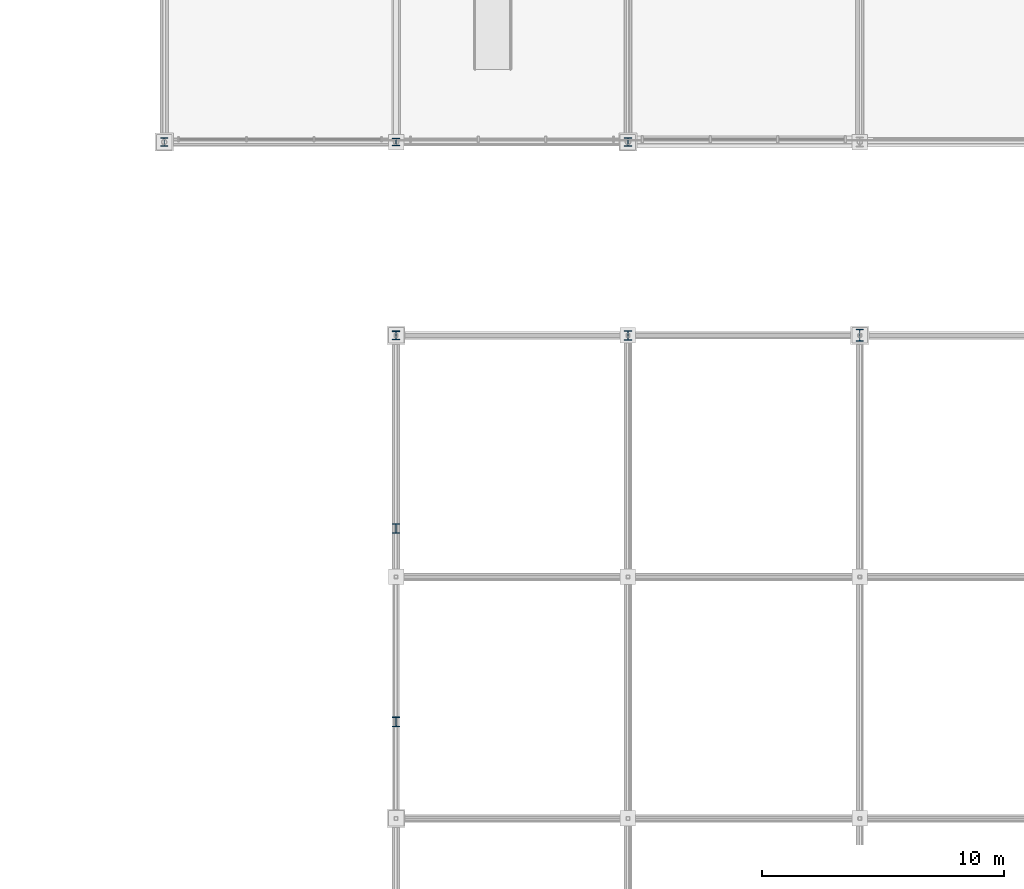
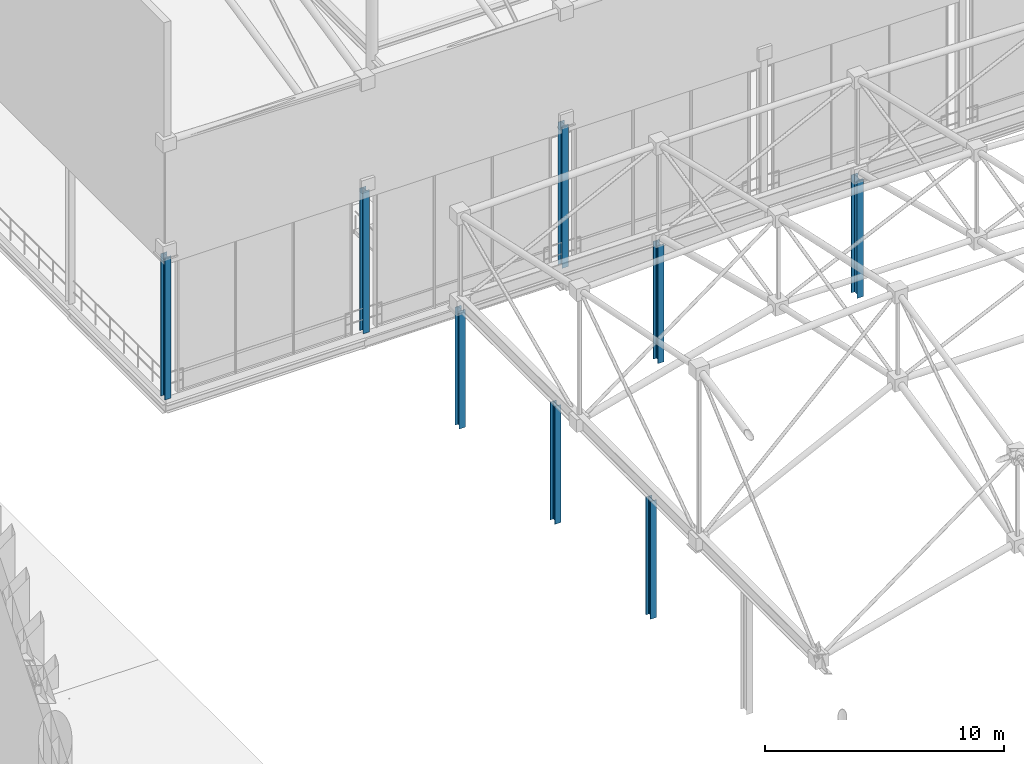
# One storey, part 15 of 193: 8 columns.
"""IFC4 building model written with IfcOpenShell, lengths in metres."""

from ifc_helpers import new_model, si_unit, direction, frame, origin, origin_2d, place, context, subcontext, project, spatial, i_section, extrude, material, material_profile, profile_set, type_object, element, save


model = new_model("IFC4")

# Units and contexts
model_context = context("Model", 3, precision=1e-05, world=origin(), true_north=direction((0.0, 1.0)))
body_context = subcontext(model_context, "Body", "Model", "MODEL_VIEW")
ifc_project = project(units=[si_unit("LENGTHUNIT", "METRE"), si_unit("AREAUNIT", "SQUARE_METRE"), si_unit("VOLUMEUNIT", "CUBIC_METRE"), si_unit("PLANEANGLEUNIT", "RADIAN"), si_unit("MASSUNIT", "GRAM", prefix="KILO")], contexts=[model_context])

# Site, building, storey
site_placement = place(None, origin())
site = spatial("IfcSite", under=ifc_project, at=site_placement, CompositionType="ELEMENT")
building_placement = place(site_placement, origin())
building = spatial("IfcBuilding", under=site, at=building_placement, Name="Danafjord Basin Convention Centre", CompositionType="ELEMENT")
storey_placement = place(building_placement, frame((0.0, 0.0, 11.39990234375)))
storey = spatial("IfcBuildingStorey", under=building, at=storey_placement, Name="L02", CompositionType="ELEMENT", Elevation=11.39990234375)

# Columns
ifc_material = material(Name="Steel S355", Category="steel")
ifc_material_profile_1 = material_profile(ifc_material, i_section(OverallWidth=0.300048828125, OverallDepth=0.300048828125, WebThickness=0.010986328125, FlangeThickness=0.01904296875, FilletRadius=0.027099609375, at=origin_2d()), Name="HEB 300")
ifc_profile_set_1 = profile_set([ifc_material_profile_1], Name="Steel S355")
column_type_1 = type_object("IfcColumnType", Name="COL-C-HEB300", PredefinedType="COLUMN", material=ifc_profile_set_1)
column_1_placement = place(storey_placement, frame((144.0, 88.0, 0.0), z_axis=(0.0, 0.0, 1.0), x_axis=(1.0, 0.0, 0.0)))
element("IfcColumn", 1, at=column_1_placement, inside=storey, type_object=column_type_1, Name="L02 column C-HEB300 at (144.0, 88.0)", PredefinedType="COLUMN", context=body_context, shape_type="SweptSolid", body=[
    extrude(i_section(OverallWidth=0.300048828125, OverallDepth=0.300048828125, WebThickness=0.010986328125, FlangeThickness=0.01904296875, FilletRadius=0.027099609375, at=origin_2d()), origin(), (0.0, 0.0, 1.0), 7.27001953125),
])
ifc_material_profile_2 = material_profile(ifc_material, i_section(OverallWidth=0.300048828125, OverallDepth=0.360107421875, WebThickness=0.012451171875, FlangeThickness=0.0224609375, FilletRadius=0.027099609375, at=origin_2d()), Name="HEB 360")
ifc_profile_set_2 = profile_set([ifc_material_profile_2], Name="Steel S355")
column_type_2 = type_object("IfcColumnType", Name="COL-C-HEB360", PredefinedType="COLUMN", material=ifc_profile_set_2)
column_2_placement = place(storey_placement, frame((134.39990234375, 88.0, 0.0), z_axis=(0.0, 0.0, 1.0), x_axis=(1.0, 0.0, 0.0)))
element("IfcColumn", 2, at=column_2_placement, inside=storey, type_object=column_type_2, Name="L02 column C-HEB360 at (134.4, 88.0)", PredefinedType="COLUMN", context=body_context, shape_type="SweptSolid", body=[
    extrude(i_section(OverallWidth=0.300048828125, OverallDepth=0.360107421875, WebThickness=0.012451171875, FlangeThickness=0.0224609375, FilletRadius=0.027099609375, at=origin_2d()), origin(), (0.0, 0.0, 1.0), 7.27001953125),
])
column_3_placement = place(storey_placement, frame((144.0, 80.0, 0.0), z_axis=(0.0, 0.0, 1.0), x_axis=(1.0, 0.0, 0.0)))
element("IfcColumn", 3, at=column_3_placement, inside=storey, type_object=column_type_2, Name="L02 column C-HEB360 at (144.0, 80.0)", PredefinedType="COLUMN", context=body_context, shape_type="SweptSolid", body=[
    extrude(i_section(OverallWidth=0.300048828125, OverallDepth=0.360107421875, WebThickness=0.012451171875, FlangeThickness=0.0224609375, FilletRadius=0.027099609375, at=origin_2d()), origin(), (0.0, 0.0, 1.0), 6.02001953125),
])
column_4_placement = place(storey_placement, frame((153.60009765625, 88.0, 0.0), z_axis=(0.0, 0.0, 1.0), x_axis=(1.0, 0.0, 0.0)))
element("IfcColumn", 4, at=column_4_placement, inside=storey, type_object=column_type_2, Name="L02 column C-HEB360 at (153.6, 88.0)", PredefinedType="COLUMN", context=body_context, shape_type="SweptSolid", body=[
    extrude(i_section(OverallWidth=0.300048828125, OverallDepth=0.360107421875, WebThickness=0.012451171875, FlangeThickness=0.0224609375, FilletRadius=0.027099609375, at=origin_2d()), origin(), (0.0, 0.0, 1.0), 7.27001953125),
])
ifc_material_profile_3 = material_profile(ifc_material, i_section(OverallWidth=0.300048828125, OverallDepth=0.39990234375, WebThickness=0.013427734375, FlangeThickness=0.02392578125, FilletRadius=0.027099609375, at=origin_2d()), Name="HEB 400")
ifc_profile_set_3 = profile_set([ifc_material_profile_3], Name="Steel S355")
column_type_3 = type_object("IfcColumnType", Name="COL-C-HEB400", PredefinedType="COLUMN", material=ifc_profile_set_3)
for number, where, z_axis, x_axis, name in (
    (5, (144.0, 64.0, 0.0), (0.0, 0.0, 1.0), (1.0, 0.0, 0.0), "L02 column C-HEB400 at (144.0, 64.0)"),
    (6, (144.0, 72.0, 0.0), (0.0, 0.0, 1.0), (1.0, 0.0, 0.0), "L02 column C-HEB400 at (144.0, 72.0)"),
    (7, (153.60009765625, 80.0, 0.0), (0.0, 0.0, 1.0), (1.0, 0.0, 0.0), "L02 column C-HEB400 at (153.6, 80.0)"),
):
    element("IfcColumn", number, at=place(storey_placement, frame(where, z_axis=z_axis, x_axis=x_axis)), inside=storey, type_object=column_type_3, Name=name, PredefinedType="COLUMN", context=body_context, shape_type="SweptSolid", body=[
        extrude(i_section(OverallWidth=0.300048828125, OverallDepth=0.39990234375, WebThickness=0.013427734375, FlangeThickness=0.02392578125, FilletRadius=0.027099609375, at=origin_2d()), origin(), (0.0, 0.0, 1.0), 6.02001953125),
    ])
ifc_material_profile_4 = material_profile(ifc_material, i_section(OverallWidth=0.300048828125, OverallDepth=0.5, WebThickness=0.014404296875, FlangeThickness=0.028076171875, FilletRadius=0.027099609375, at=origin_2d()), Name="HEB 500")
ifc_profile_set_4 = profile_set([ifc_material_profile_4], Name="Steel S355")
column_type_4 = type_object("IfcColumnType", Name="COL-C-HEB500", PredefinedType="COLUMN", material=ifc_profile_set_4)
column_5_placement = place(storey_placement, frame((163.199951171875, 80.0, 0.0), z_axis=(0.0, 0.0, 1.0), x_axis=(1.0, 0.0, 0.0)))
element("IfcColumn", 8, at=column_5_placement, inside=storey, type_object=column_type_4, Name="L02 column C-HEB500 at (163.2, 80.0)", PredefinedType="COLUMN", context=body_context, shape_type="SweptSolid", body=[
    extrude(i_section(OverallWidth=0.300048828125, OverallDepth=0.5, WebThickness=0.014404296875, FlangeThickness=0.028076171875, FilletRadius=0.027099609375, at=origin_2d()), origin(), (0.0, 0.0, 1.0), 6.02001953125),
])

save(model, "model.ifc")
